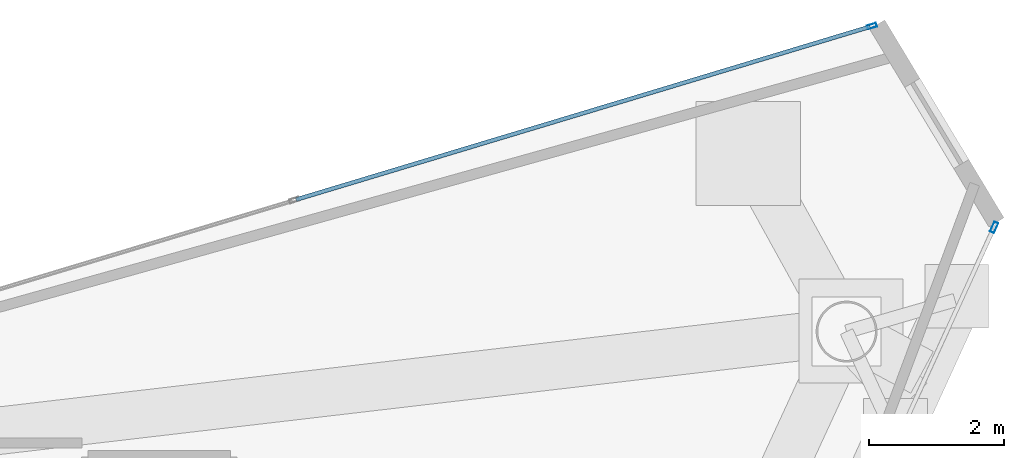
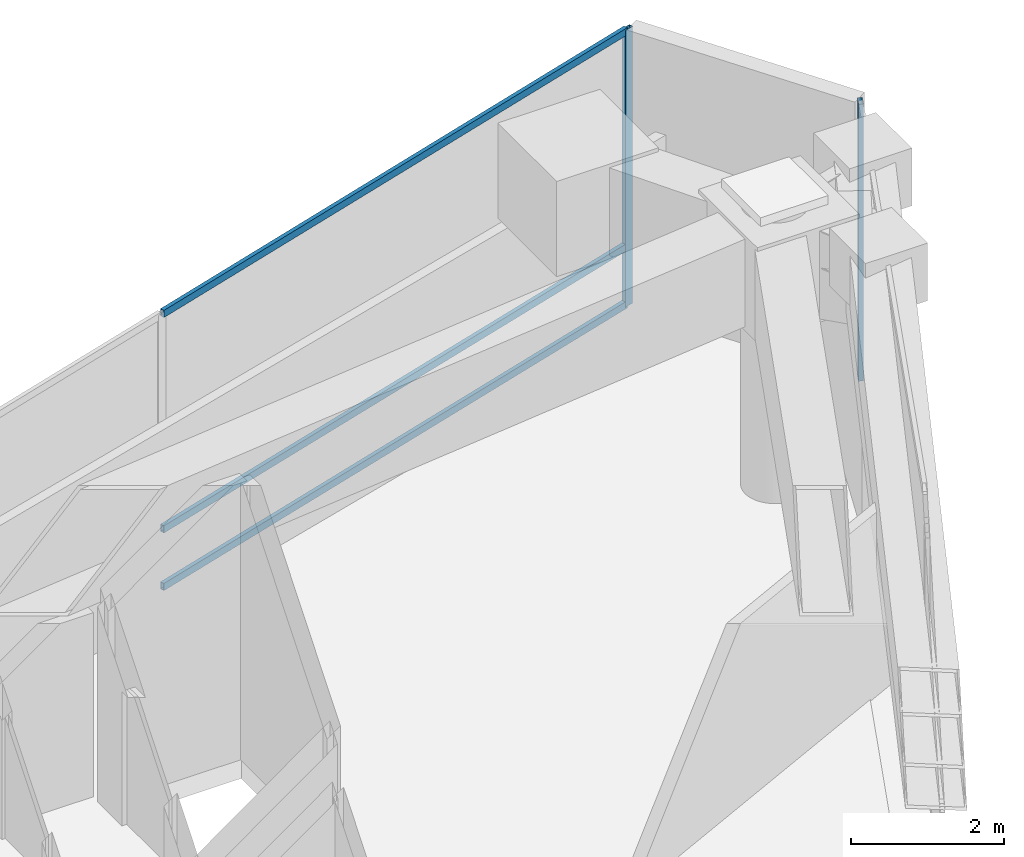
# One storey, part 14 of 20: 5 members, 2 elements without a shape of their own.
"""IFC4 building model written with IfcOpenShell, lengths in metres."""

from ifc_helpers import new_model, si_unit, direction, frame, origin, origin_2d, place, context, subcontext, project, spatial, hollow_rectangle, extrude, material, layer, layer_set, material_profile, profile_set, type_object, element, aggregate, save


model = new_model("IFC4")

# Units and contexts
model_context = context("Model", 3, precision=1e-05, world=origin(), true_north=direction((0.0, 1.0)))
body_context = subcontext(model_context, "Body", "Model", "MODEL_VIEW")
ifc_project = project(units=[si_unit("LENGTHUNIT", "METRE"), si_unit("AREAUNIT", "SQUARE_METRE"), si_unit("VOLUMEUNIT", "CUBIC_METRE"), si_unit("PLANEANGLEUNIT", "RADIAN"), si_unit("MASSUNIT", "GRAM", prefix="KILO")], contexts=[model_context])

# Site, building, storey
site_placement = place(None, origin())
site = spatial("IfcSite", under=ifc_project, at=site_placement, CompositionType="ELEMENT")
building_placement = place(site_placement, origin())
building = spatial("IfcBuilding", under=site, at=building_placement, Name="Qianvela Tower", CompositionType="ELEMENT")
storey_placement = place(building_placement, frame((0.0, 0.0, 321.300048828125)))
storey = spatial("IfcBuildingStorey", under=building, at=storey_placement, Name="L83", CompositionType="ELEMENT", Elevation=321.300048828125)

# Curtain wall, member
ifc_material_1 = material(Name="Anodised Architectural Aluminium and Insulated Spandrel Panel", Category="aluminium")
ifc_layer_1 = layer(ifc_material_1, 0.179931640625)
ifc_layer_set_1 = layer_set([ifc_layer_1], Name="Anodised Architectural Aluminium and Insulated Spandrel Panel")
curtain_wall_type_1 = type_object("IfcCurtainWallType", Name="CW-BRACEBAY", PredefinedType="USERDEFINED", material=ifc_layer_set_1)
curtain_wall_1_placement = place(storey_placement, origin())
curtain_wall_1 = element("IfcCurtainWall", 1, at=curtain_wall_1_placement, inside=storey, type_object=curtain_wall_type_1, Name="L83 CW-BRACEBAY Curtain Wall 06B", ObjectType="CURTAIN_WALL_SYSTEM", PredefinedType="USERDEFINED")
ifc_material_2 = material(Name="Anodised Architectural Aluminium 6063-T6", Category="aluminium")
ifc_material_profile_1 = material_profile(ifc_material_2, hollow_rectangle(XDim=0.06494140625, YDim=0.159912109375, WallThickness=0.0048828125, at=origin_2d()), Name="ALU-MULL-65x160")
ifc_profile_set_1 = profile_set([ifc_material_profile_1], Name="Anodised Architectural Aluminium 6063-T6")
member_type_1 = type_object("IfcMemberType", Name="CW-BRACEBAY-MULL", PredefinedType="MULLION", material=ifc_profile_set_1)
member_1_placement = place(storey_placement, frame((54.826416015625, 38.673095703125, 0.0), z_axis=(0.0, 0.0, 1.0), x_axis=(-0.909767014219, 0.415119235689, 0.0)))
member_1 = element("IfcMember", 2, at=member_1_placement, type_object=member_type_1, Name="CW-9 mullion 3", PredefinedType="MULLION", context=body_context, shape_type="SweptSolid", body=[
    extrude(hollow_rectangle(XDim=0.06494140625, YDim=0.159912109375, WallThickness=0.0048828125, at=origin_2d()), origin(), (0.0, 0.0, 1.0), 4.419921875),
])
aggregate(curtain_wall_1, [member_1])

# Curtain wall, members
ifc_material_3 = material(Name="Anodised Architectural Aluminium and Low-E Glass", Category="aluminium")
ifc_layer_2 = layer(ifc_material_3, 0.14990234375)
ifc_layer_set_2 = layer_set([ifc_layer_2], Name="Anodised Architectural Aluminium and Low-E Glass")
curtain_wall_type_2 = type_object("IfcCurtainWallType", Name="CW-COLIV-Z78", PredefinedType="USERDEFINED", material=ifc_layer_set_2)
curtain_wall_2_placement = place(storey_placement, origin())
curtain_wall_2 = element("IfcCurtainWall", 3, at=curtain_wall_2_placement, inside=storey, type_object=curtain_wall_type_2, Name="L83 CW-COLIV-Z78 Curtain Wall 02A", ObjectType="CURTAIN_WALL_SYSTEM", PredefinedType="USERDEFINED")
ifc_material_4 = material(Name="Anodised Architectural Aluminium 6063-T6", Category="aluminium")
ifc_material_profile_2 = material_profile(ifc_material_4, hollow_rectangle(XDim=0.06005859375, YDim=0.139892578125, WallThickness=0.00439453125, at=origin_2d()), Name="ALU-MULL-60x140")
ifc_profile_set_2 = profile_set([ifc_material_profile_2], Name="Anodised Architectural Aluminium 6063-T6")
member_type_2 = type_object("IfcMemberType", Name="CW-COLIV-Z78-MULL", PredefinedType="MULLION", material=ifc_profile_set_2)
member_2_placement = place(storey_placement, frame((53.022705078125, 41.645263671875, 0.0), z_axis=(0.0, 0.0, 1.0), x_axis=(0.288479597216, -0.957486042713, 0.0)))
member_2 = element("IfcMember", 4, at=member_2_placement, type_object=member_type_2, Name="CW-6 mullion 1", PredefinedType="MULLION", context=body_context, shape_type="SweptSolid", body=[
    extrude(hollow_rectangle(XDim=0.06005859375, YDim=0.139892578125, WallThickness=0.00439453125, at=origin_2d()), origin(), (0.0, 0.0, 1.0), 4.419921875),
])
ifc_material_5 = material(Name="Anodised Architectural Aluminium 6063-T6", Category="aluminium")
ifc_material_profile_3 = material_profile(ifc_material_5, hollow_rectangle(XDim=0.06005859375, YDim=0.114990234375, WallThickness=0.00390625, at=origin_2d()), Name="ALU-TRAN-60x115")
ifc_profile_set_3 = profile_set([ifc_material_profile_3], Name="Anodised Architectural Aluminium 6063-T6")
member_type_3 = type_object("IfcMemberType", Name="CW-COLIV-Z78-TRAN", PredefinedType="USERDEFINED", material=ifc_profile_set_3)
member_3_placement = place(storey_placement, frame((52.993896484375, 41.63671875, 0.030029296875), z_axis=(-0.957486984262, -0.288476472123, 0.0), x_axis=(0.288476472123, -0.957486984262, 0.0)))
member_3 = element("IfcMember", 5, at=member_3_placement, type_object=member_type_3, Name="CW-6 transom 1.1", ObjectType="TRANSOM", PredefinedType="USERDEFINED", context=body_context, shape_type="SweptSolid", body=[
    extrude(hollow_rectangle(XDim=0.06005859375, YDim=0.114990234375, WallThickness=0.00390625, at=origin_2d()), origin(), (0.0, 0.0, 1.0), 8.849853515625),
])
member_4_placement = place(storey_placement, frame((52.993896484375, 41.63671875, 0.949951171875), z_axis=(-0.957486984262, -0.288476472123, 0.0), x_axis=(0.288476472123, -0.957486984262, 0.0)))
member_4 = element("IfcMember", 6, at=member_4_placement, type_object=member_type_3, Name="CW-6 transom 1.2", ObjectType="TRANSOM", PredefinedType="USERDEFINED", context=body_context, shape_type="SweptSolid", body=[
    extrude(hollow_rectangle(XDim=0.06005859375, YDim=0.114990234375, WallThickness=0.00390625, at=origin_2d()), origin(), (0.0, 0.0, 1.0), 8.849853515625),
])
member_5_placement = place(storey_placement, frame((52.993896484375, 41.63671875, 4.389892578125), z_axis=(-0.957486984262, -0.288476472123, 0.0), x_axis=(0.288476472123, -0.957486984262, 0.0)))
member_5 = element("IfcMember", 7, at=member_5_placement, type_object=member_type_3, Name="CW-6 transom 1.3", ObjectType="TRANSOM", PredefinedType="USERDEFINED", context=body_context, shape_type="SweptSolid", body=[
    extrude(hollow_rectangle(XDim=0.06005859375, YDim=0.114990234375, WallThickness=0.00390625, at=origin_2d()), origin(), (0.0, 0.0, 1.0), 8.849853515625),
])
aggregate(curtain_wall_2, [member_2, member_3, member_4, member_5])

save(model, "model.ifc")
